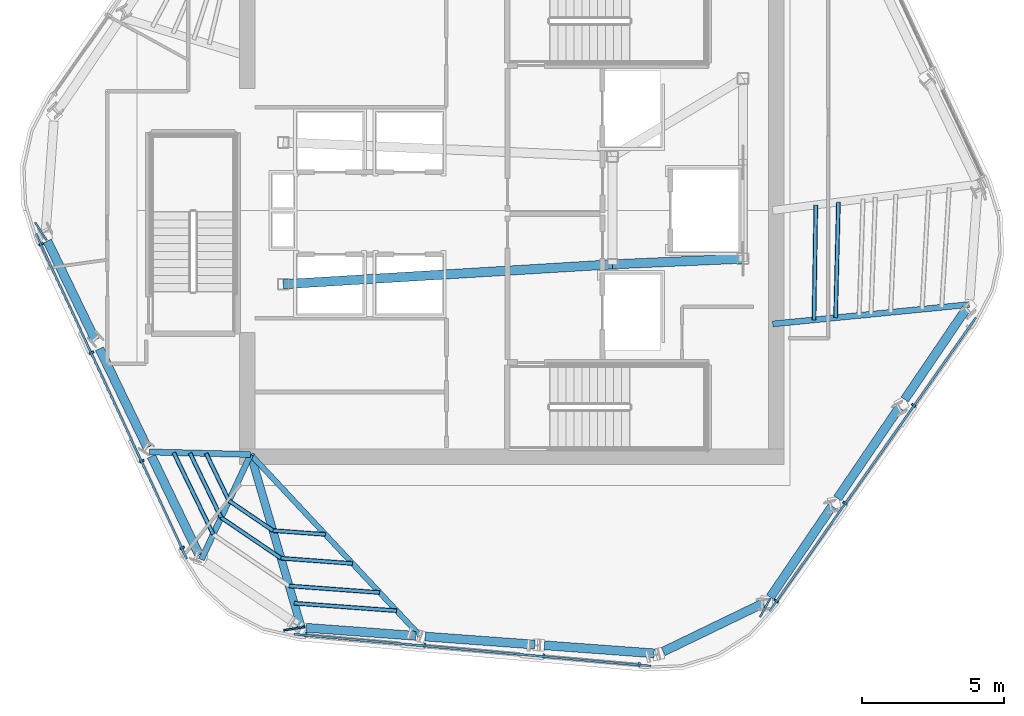
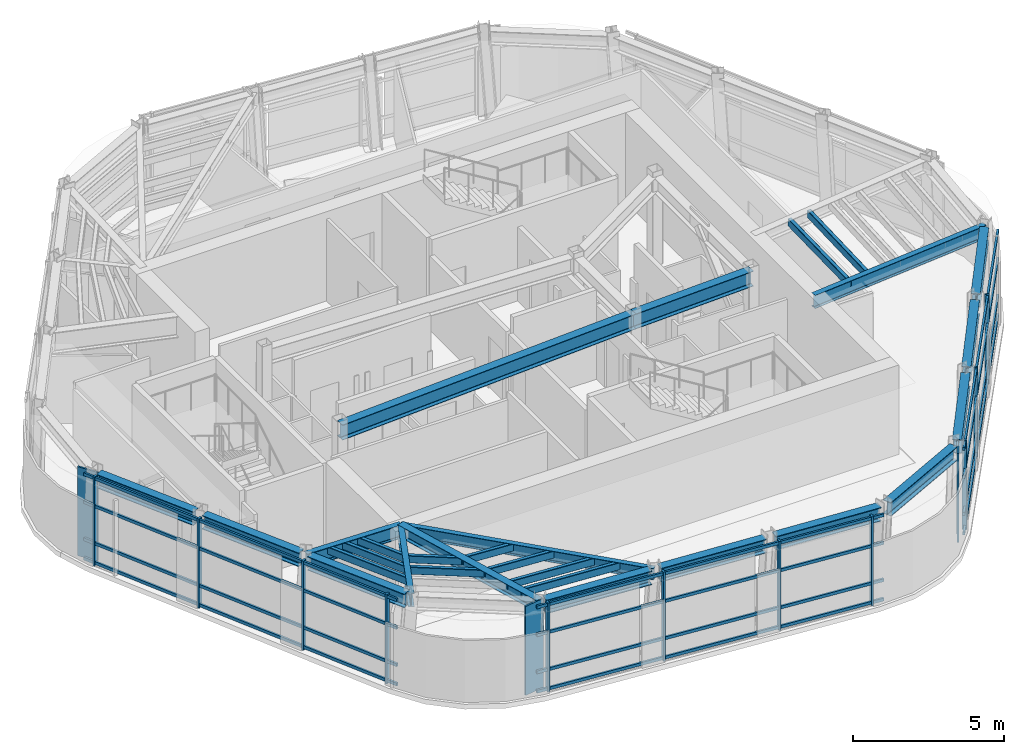
# One storey, part 2 of 12: 37 members, 17 beams, 3 elements without a shape of their own.
"""IFC4 building model written with IfcOpenShell, lengths in metres."""

from ifc_helpers import new_model, si_unit, direction, frame, origin, origin_2d, place, context, subcontext, project, spatial, rectangle, hollow_rectangle, i_section, extrude, material, layer, layer_set, material_profile, profile_set, type_object, element, aggregate, save


model = new_model("IFC4")

# Units and contexts
model_context = context("Model", 3, precision=1e-05, world=origin(), true_north=direction((0.0, 1.0)))
body_context = subcontext(model_context, "Body", "Model", "MODEL_VIEW")
ifc_project = project(units=[si_unit("LENGTHUNIT", "METRE"), si_unit("AREAUNIT", "SQUARE_METRE"), si_unit("VOLUMEUNIT", "CUBIC_METRE"), si_unit("PLANEANGLEUNIT", "RADIAN"), si_unit("MASSUNIT", "GRAM", prefix="KILO")], contexts=[model_context])

# Site, building, storey
site_placement = place(None, origin())
site = spatial("IfcSite", under=ifc_project, at=site_placement, CompositionType="ELEMENT")
building_placement = place(site_placement, origin())
building = spatial("IfcBuilding", under=site, at=building_placement, Name="Valkerne Bourse Tower", CompositionType="ELEMENT")
storey_placement = place(building_placement, frame((0.0, 0.0, 262.199951171875)))
storey = spatial("IfcBuildingStorey", under=building, at=storey_placement, Name="L66", CompositionType="ELEMENT", Elevation=262.199951171875)

# Beams
ifc_material_1 = material(Name="Steel ASTM A992", Category="steel")
ifc_material_profile_1 = material_profile(ifc_material_1, i_section(OverallWidth=0.1904296875, OverallDepth=0.457275390625, WebThickness=0.009033203125, FlangeThickness=0.014404296875, FilletRadius=0.01513671875, at=origin_2d()), Name="W18X50")
ifc_profile_set_1 = profile_set([ifc_material_profile_1], Name="Steel ASTM A992")
beam_type_1 = type_object("IfcBeamType", Name="BM-W18X50", PredefinedType="JOIST", material=ifc_profile_set_1)
beam_1_placement = place(storey_placement, frame((43.58642578125, 11.996337890625, 3.371337890625), z_axis=(-0.682907465045, 0.730504889913, 0.0), x_axis=(-0.730504889913, -0.682907465045, 0.0)))
element("IfcBeam", 1, at=beam_1_placement, inside=storey, type_object=beam_type_1, Name="L66 Radial Composite Floor Beam 13", PredefinedType="JOIST", context=body_context, shape_type="SweptSolid", body=[
    extrude(i_section(OverallWidth=0.1904296875, OverallDepth=0.457275390625, WebThickness=0.009033203125, FlangeThickness=0.014404296875, FilletRadius=0.01513671875, at=origin_2d()), origin(), (0.0, 0.0, 1.0), 8.765869140625),
])
ifc_material_profile_2 = material_profile(ifc_material_1, i_section(OverallWidth=0.279296875, OverallDepth=0.46240234375, WebThickness=0.0107421875, FlangeThickness=0.017333984375, FilletRadius=0.017822265625, at=origin_2d()), Name="W18X76")
ifc_profile_set_2 = profile_set([ifc_material_profile_2], Name="Steel ASTM A992")
beam_type_2 = type_object("IfcBeamType", Name="BM-W18X76", PredefinedType="BEAM", material=ifc_profile_set_2)
beam_2_placement = place(storey_placement, frame((39.3857421875, 12.3046875, 3.368896484375), z_axis=(-0.281142267956, 0.959666100875, 0.0), x_axis=(-0.959666100875, -0.281142267956, 0.0)))
element("IfcBeam", 2, at=beam_2_placement, inside=storey, type_object=beam_type_2, Name="L66 Radial Composite Floor Beam 12", PredefinedType="BEAM", context=body_context, shape_type="SweptSolid", body=[
    extrude(i_section(OverallWidth=0.279296875, OverallDepth=0.46240234375, WebThickness=0.0107421875, FlangeThickness=0.017333984375, FilletRadius=0.017822265625, at=origin_2d()), origin(), (0.0, 0.0, 1.0), 6.351318359375),
])
ifc_material_profile_3 = material_profile(ifc_material_1, i_section(OverallWidth=0.31494140625, OverallDepth=0.5537109375, WebThickness=0.0166015625, FlangeThickness=0.026123046875, FilletRadius=0.020263671875, at=origin_2d()), Name="W21X132")
ifc_profile_set_3 = profile_set([ifc_material_profile_3], Name="Steel ASTM A992")
beam_type_3 = type_object("IfcBeamType", Name="BM-W21X132", PredefinedType="BEAM", material=ifc_profile_set_3)
beam_3_placement = place(storey_placement, frame((30.4404296875, 25.920166015625, 3.3232421875), z_axis=(0.435244474126, -0.900312305671, 0.0), x_axis=(0.900312305671, 0.435244474126, 0.0)))
element("IfcBeam", 3, at=beam_3_placement, inside=storey, type_object=beam_type_3, Name="L66 Hexagonal Spandrel Ring Beam 08", PredefinedType="BEAM", context=body_context, shape_type="SweptSolid", body=[
    extrude(i_section(OverallWidth=0.31494140625, OverallDepth=0.5537109375, WebThickness=0.0166015625, FlangeThickness=0.026123046875, FilletRadius=0.020263671875, at=origin_2d()), origin(), (0.0, 0.0, 1.0), 3.8720703125),
])
beam_4_placement = place(storey_placement, frame((32.273681640625, 22.1279296875, 3.3232421875), z_axis=(0.435269182469, -0.90030036032, 0.0), x_axis=(0.90030036032, 0.435269182469, 0.0)))
element("IfcBeam", 4, at=beam_4_placement, inside=storey, type_object=beam_type_3, Name="L66 Hexagonal Spandrel Ring Beam 09", PredefinedType="BEAM", context=body_context, shape_type="SweptSolid", body=[
    extrude(i_section(OverallWidth=0.31494140625, OverallDepth=0.5537109375, WebThickness=0.0166015625, FlangeThickness=0.026123046875, FilletRadius=0.020263671875, at=origin_2d()), origin(), (0.0, 0.0, 1.0), 3.871826171875),
])
for number, where, z_axis, x_axis, name in (
    (5, (34.10693359375, 18.3359375, 3.3232421875), (0.43519336486, -0.900337012002, 0.0), (0.900337012002, 0.43519336486, 0.0), "L66 Hexagonal Spandrel Ring Beam 10"),
    (6, (39.555419921875, 12.292236328125, 3.3232421875), (0.997316907808, -0.073205091355, 0.0), (0.073205091355, 0.997316907808, 0.0), "L66 Hexagonal Spandrel Ring Beam 12"),
    (7, (43.756103515625, 11.98388671875, 3.3232421875), (0.997312302406, -0.073267806499, 0.0), (0.073267806499, 0.997312302406, 0.0), "L66 Hexagonal Spandrel Ring Beam 13"),
    (8, (47.956787109375, 11.67529296875, 3.3232421875), (0.997316907808, -0.073205091355, 0.0), (0.073205091355, 0.997316907808, 0.0), "L66 Hexagonal Spandrel Ring Beam 14"),
):
    element("IfcBeam", number, at=place(storey_placement, frame(where, z_axis=z_axis, x_axis=x_axis)), inside=storey, type_object=beam_type_3, Name=name, PredefinedType="BEAM", context=body_context, shape_type="SweptSolid", body=[
        extrude(i_section(OverallWidth=0.31494140625, OverallDepth=0.5537109375, WebThickness=0.0166015625, FlangeThickness=0.026123046875, FilletRadius=0.020263671875, at=origin_2d()), origin(), (0.0, 0.0, 1.0), 3.8720703125),
    ])
beam_5_placement = place(storey_placement, frame((52.14111328125, 11.453369140625, 3.3232421875), z_axis=(0.900320856129, 0.435226786881, 0.0), x_axis=(-0.435226786881, 0.900320856129, 0.0)))
element("IfcBeam", 9, at=beam_5_placement, inside=storey, type_object=beam_type_3, Name="L66 Hexagonal Spandrel Ring Beam 15", PredefinedType="BEAM", context=body_context, shape_type="SweptSolid", body=[
    extrude(i_section(OverallWidth=0.31494140625, OverallDepth=0.5537109375, WebThickness=0.0166015625, FlangeThickness=0.026123046875, FilletRadius=0.020263671875, at=origin_2d()), origin(), (0.0, 0.0, 1.0), 3.91552734375),
])
beam_6_placement = place(storey_placement, frame((55.914794921875, 13.3720703125, 3.3232421875), z_axis=(0.562084085432, 0.827080093404, 0.0), x_axis=(-0.827080093404, 0.562084085432, 0.0)))
element("IfcBeam", 10, at=beam_6_placement, inside=storey, type_object=beam_type_3, Name="L66 Hexagonal Spandrel Ring Beam 16", PredefinedType="BEAM", context=body_context, shape_type="SweptSolid", body=[
    extrude(i_section(OverallWidth=0.31494140625, OverallDepth=0.5537109375, WebThickness=0.0166015625, FlangeThickness=0.026123046875, FilletRadius=0.020263671875, at=origin_2d()), origin(), (0.0, 0.0, 1.0), 3.872314453125),
])
beam_7_placement = place(storey_placement, frame((58.282470703125, 16.855712890625, 3.3232421875), z_axis=(0.562040953574, 0.827109404194, 0.0), x_axis=(-0.827109404194, 0.562040953574, 0.0)))
element("IfcBeam", 11, at=beam_7_placement, inside=storey, type_object=beam_type_3, Name="L66 Hexagonal Spandrel Ring Beam 17", PredefinedType="BEAM", context=body_context, shape_type="SweptSolid", body=[
    extrude(i_section(OverallWidth=0.31494140625, OverallDepth=0.5537109375, WebThickness=0.0166015625, FlangeThickness=0.026123046875, FilletRadius=0.020263671875, at=origin_2d()), origin(), (0.0, 0.0, 1.0), 3.8720703125),
])
beam_8_placement = place(storey_placement, frame((60.64990234375, 20.339599609375, 3.3232421875), z_axis=(0.562070265454, 0.827089485299, 0.0), x_axis=(-0.827089485299, 0.562070265454, 0.0)))
element("IfcBeam", 12, at=beam_8_placement, inside=storey, type_object=beam_type_3, Name="L66 Hexagonal Spandrel Ring Beam 18", PredefinedType="BEAM", context=body_context, shape_type="SweptSolid", body=[
    extrude(i_section(OverallWidth=0.31494140625, OverallDepth=0.5537109375, WebThickness=0.0166015625, FlangeThickness=0.026123046875, FilletRadius=0.020263671875, at=origin_2d()), origin(), (0.0, 0.0, 1.0), 3.871826171875),
])
ifc_material_profile_4 = material_profile(ifc_material_1, i_section(OverallWidth=0.209228515625, OverallDepth=0.533447265625, WebThickness=0.01025390625, FlangeThickness=0.015625, FilletRadius=0.017822265625, at=origin_2d()), Name="W21X62")
ifc_profile_set_4 = profile_set([ifc_material_profile_4], Name="Steel ASTM A992")
beam_type_4 = type_object("IfcBeamType", Name="BM-W21X62", PredefinedType="JOIST", material=ifc_profile_set_4)
beam_9_placement = place(storey_placement, frame((35.8662109375, 14.69677734375, 3.333251953125), z_axis=(0.424042224579, 0.905642419377, 0.0), x_axis=(-0.905642419377, 0.424042224579, 0.0)))
element("IfcBeam", 13, at=beam_9_placement, inside=storey, type_object=beam_type_4, Name="L66 Radial Composite Floor Beam 11", PredefinedType="JOIST", context=body_context, shape_type="SweptSolid", body=[
    extrude(i_section(OverallWidth=0.209228515625, OverallDepth=0.533447265625, WebThickness=0.01025390625, FlangeThickness=0.015625, FilletRadius=0.017822265625, at=origin_2d()), origin(), (0.0, 0.0, 1.0), 4.0888671875),
])
beam_10_placement = place(storey_placement, frame((62.921875, 23.6826171875, 3.333251953125), z_axis=(-0.995172489692, -0.098141305064, 0.0), x_axis=(0.098141305064, -0.995172489692, 0.0)))
element("IfcBeam", 14, at=beam_10_placement, inside=storey, type_object=beam_type_4, Name="L66 Radial Composite Floor Beam 19", PredefinedType="JOIST", context=body_context, shape_type="SweptSolid", body=[
    extrude(i_section(OverallWidth=0.209228515625, OverallDepth=0.533447265625, WebThickness=0.01025390625, FlangeThickness=0.015625, FilletRadius=0.017822265625, at=origin_2d()), origin(), (0.0, 0.0, 1.0), 6.95556640625),
])
ifc_material_profile_5 = material_profile(ifc_material_1, i_section(OverallWidth=0.2138671875, OverallDepth=0.548583984375, WebThickness=0.0146484375, FlangeThickness=0.023681640625, FilletRadius=0.017822265625, at=origin_2d()), Name="W21X93")
ifc_profile_set_5 = profile_set([ifc_material_profile_5], Name="Steel ASTM A992")
beam_type_5 = type_object("IfcBeamType", Name="BM-W21X93", PredefinedType="BEAM", material=ifc_profile_set_5)
beam_11_placement = place(storey_placement, frame((34.032958984375, 18.489013671875, 3.32568359375), z_axis=(0.999688116327, -0.024973387342, 0.0), x_axis=(0.024973387342, 0.999688116327, 0.0)))
element("IfcBeam", 15, at=beam_11_placement, inside=storey, type_object=beam_type_5, Name="L66 Radial Composite Floor Beam 10", PredefinedType="BEAM", context=body_context, shape_type="SweptSolid", body=[
    extrude(i_section(OverallWidth=0.2138671875, OverallDepth=0.548583984375, WebThickness=0.0146484375, FlangeThickness=0.023681640625, FilletRadius=0.017822265625, at=origin_2d()), origin(), (0.0, 0.0, 1.0), 3.568359375),
])
ifc_material_profile_6 = material_profile(ifc_material_1, i_section(OverallWidth=0.3251953125, OverallDepth=0.612060546875, WebThickness=0.0126953125, FlangeThickness=0.01904296875, FilletRadius=0.020263671875, at=origin_2d()), Name="W24X104")
ifc_profile_set_6 = profile_set([ifc_material_profile_6], Name="Steel ASTM A992")
beam_type_6 = type_object("IfcBeamType", Name="BM-W24X104", PredefinedType="BEAM", material=ifc_profile_set_6)
beam_12_placement = place(storey_placement, frame((50.35009765625, 25.10009765625, 3.2939453125), z_axis=(0.999056558506, 0.043428019819, 0.0), x_axis=(-0.043428019819, 0.999056558506, 0.0)))
element("IfcBeam", 16, at=beam_12_placement, inside=storey, type_object=beam_type_6, Name="L66 Core Frame Girder CG-SE", PredefinedType="BEAM", context=body_context, shape_type="SweptSolid", body=[
    extrude(i_section(OverallWidth=0.3251953125, OverallDepth=0.612060546875, WebThickness=0.0126953125, FlangeThickness=0.01904296875, FilletRadius=0.020263671875, at=origin_2d()), origin(), (0.0, 0.0, 1.0), 4.604248046875),
])
beam_13_placement = place(storey_placement, frame((38.75, 24.39990234375, 3.2939453125), z_axis=(0.998183228389, 0.060251494276, 0.0), x_axis=(-0.060251494276, 0.998183228389, 0.0)))
element("IfcBeam", 17, at=beam_13_placement, inside=storey, type_object=beam_type_6, Name="L66 Core Frame Girder CG-SW", PredefinedType="BEAM", context=body_context, shape_type="SweptSolid", body=[
    extrude(i_section(OverallWidth=0.3251953125, OverallDepth=0.612060546875, WebThickness=0.0126953125, FlangeThickness=0.01904296875, FilletRadius=0.020263671875, at=origin_2d()), origin(), (0.0, 0.0, 1.0), 11.62109375),
])

# Curtain wall, members
ifc_material_2 = material(Name="Aluminium AA 6063-T6", Category="aluminium")
ifc_layer = layer(ifc_material_2, 0.2451171875)
ifc_layer_set = layer_set([ifc_layer], Name="Aluminium AA 6063-T6")
curtain_wall_type = type_object("IfcCurtainWallType", Name="CW-05", PredefinedType="NOTDEFINED", material=ifc_layer_set)
curtain_wall_1_placement = place(storey_placement, origin())
curtain_wall_1 = element("IfcCurtainWall", 18, at=curtain_wall_1_placement, inside=storey, type_object=curtain_wall_type, Name="L66 Hexagonal Stick Curtain Wall Face 3", PredefinedType="NOTDEFINED")
ifc_material_profile_7 = material_profile(ifc_material_2, rectangle(XDim=0.074951171875, YDim=0.159912109375, at=origin_2d()), Name="CWM-75X160")
ifc_profile_set_7 = profile_set([ifc_material_profile_7], Name="Aluminium AA 6063-T6")
member_type_1 = type_object("IfcMemberType", Name="CW-MUL-160X75", PredefinedType="MULLION", material=ifc_profile_set_7)
member_1_placement = place(storey_placement, frame((30.222412109375, 25.807373046875, 0.0), z_axis=(0.0, 0.0, 1.0), x_axis=(0.421032481957, -0.907045560673, 0.0)))
member_1 = element("IfcMember", 19, at=member_1_placement, type_object=member_type_1, Name="CW-L66-F3 Jamb Mullion 00A", PredefinedType="MULLION", context=body_context, shape_type="SweptSolid", body=[
    extrude(rectangle(XDim=0.074951171875, YDim=0.159912109375, at=origin_2d()), origin(), (0.0, 0.0, 1.0), 3.60009765625),
])
member_2_placement = place(storey_placement, frame((31.995849609375, 21.98681640625, 0.0), z_axis=(0.0, 0.0, 1.0), x_axis=(0.421032481957, -0.907045560673, 0.0)))
member_2 = element("IfcMember", 20, at=member_2_placement, type_object=member_type_1, Name="CW-L66-F3 Jamb Mullion 01A", PredefinedType="MULLION", context=body_context, shape_type="SweptSolid", body=[
    extrude(rectangle(XDim=0.074951171875, YDim=0.159912109375, at=origin_2d()), origin(), (0.0, 0.0, 1.0), 3.60009765625),
])
member_3_placement = place(storey_placement, frame((33.769287109375, 18.16650390625, 0.0), z_axis=(0.0, 0.0, 1.0), x_axis=(0.421041548912, -0.907041351918, 0.0)))
member_3 = element("IfcMember", 21, at=member_3_placement, type_object=member_type_1, Name="CW-L66-F3 Jamb Mullion 02A", PredefinedType="MULLION", context=body_context, shape_type="SweptSolid", body=[
    extrude(rectangle(XDim=0.074951171875, YDim=0.159912109375, at=origin_2d()), origin(), (0.0, 0.0, 1.0), 3.60009765625),
])
member_4_placement = place(storey_placement, frame((35.18896484375, 15.10791015625, 0.0), z_axis=(0.0, 0.0, 1.0), x_axis=(0.421041548912, -0.907041351918, 0.0)))
member_4 = element("IfcMember", 22, at=member_4_placement, type_object=member_type_1, Name="CW-L66-F3 Jamb Mullion 02B", PredefinedType="MULLION", context=body_context, shape_type="SweptSolid", body=[
    extrude(rectangle(XDim=0.074951171875, YDim=0.159912109375, at=origin_2d()), origin(), (0.0, 0.0, 1.0), 3.60009765625),
])

curtain_wall_2_placement = place(storey_placement, origin())
curtain_wall_2 = element("IfcCurtainWall", 23, at=curtain_wall_2_placement, inside=storey, type_object=curtain_wall_type, Name="L66 Hexagonal Stick Curtain Wall Face 4", PredefinedType="NOTDEFINED")
member_5_placement = place(storey_placement, frame((39.5439453125, 12.047119140625, 0.0), z_axis=(0.0, 0.0, 1.0), x_axis=(0.99603958276, -0.088910908079, 0.0)))
member_5 = element("IfcMember", 24, at=member_5_placement, type_object=member_type_1, Name="CW-L66-F4 Jamb Mullion 00A", PredefinedType="MULLION", context=body_context, shape_type="SweptSolid", body=[
    extrude(rectangle(XDim=0.074951171875, YDim=0.159912109375, at=origin_2d()), origin(), (0.0, 0.0, 1.0), 3.60009765625),
])
member_6_placement = place(storey_placement, frame((43.739501953125, 11.672607421875, 0.0), z_axis=(0.0, 0.0, 1.0), x_axis=(0.996041497395, -0.088889456445, 0.0)))
member_6 = element("IfcMember", 25, at=member_6_placement, type_object=member_type_1, Name="CW-L66-F4 Jamb Mullion 01A", PredefinedType="MULLION", context=body_context, shape_type="SweptSolid", body=[
    extrude(rectangle(XDim=0.074951171875, YDim=0.159912109375, at=origin_2d()), origin(), (0.0, 0.0, 1.0), 3.60009765625),
])
member_7_placement = place(storey_placement, frame((47.934814453125, 11.298095703125, 0.0), z_axis=(0.0, 0.0, 1.0), x_axis=(0.996041497395, -0.088889456445, 0.0)))
member_7 = element("IfcMember", 26, at=member_7_placement, type_object=member_type_1, Name="CW-L66-F4 Jamb Mullion 02A", PredefinedType="MULLION", context=body_context, shape_type="SweptSolid", body=[
    extrude(rectangle(XDim=0.074951171875, YDim=0.159912109375, at=origin_2d()), origin(), (0.0, 0.0, 1.0), 3.60009765625),
])
member_8_placement = place(storey_placement, frame((51.293212890625, 10.99853515625, 0.0), z_axis=(0.0, 0.0, 1.0), x_axis=(0.996041497395, -0.088889456445, 0.0)))
member_8 = element("IfcMember", 27, at=member_8_placement, type_object=member_type_1, Name="CW-L66-F4 Jamb Mullion 02B", PredefinedType="MULLION", context=body_context, shape_type="SweptSolid", body=[
    extrude(rectangle(XDim=0.074951171875, YDim=0.159912109375, at=origin_2d()), origin(), (0.0, 0.0, 1.0), 3.60009765625),
])

curtain_wall_3_placement = place(storey_placement, origin())
curtain_wall_3 = element("IfcCurtainWall", 28, at=curtain_wall_3_placement, inside=storey, type_object=curtain_wall_type, Name="L66 Hexagonal Stick Curtain Wall Face 5", PredefinedType="NOTDEFINED")
member_9_placement = place(storey_placement, frame((56.12158203125, 13.23974609375, 0.0), z_axis=(0.0, 0.0, 1.0), x_axis=(0.575006942381, 0.818148529433, 0.0)))
member_9 = element("IfcMember", 29, at=member_9_placement, type_object=member_type_1, Name="CW-L66-F5 Jamb Mullion 00A", PredefinedType="MULLION", context=body_context, shape_type="SweptSolid", body=[
    extrude(rectangle(XDim=0.074951171875, YDim=0.159912109375, at=origin_2d()), origin(), (0.0, 0.0, 1.0), 3.60009765625),
])
member_10_placement = place(storey_placement, frame((58.543701171875, 16.685791015625, 0.0), z_axis=(0.0, 0.0, 1.0), x_axis=(0.574995773335, 0.818156379091, 0.0)))
member_10 = element("IfcMember", 30, at=member_10_placement, type_object=member_type_1, Name="CW-L66-F5 Jamb Mullion 01A", PredefinedType="MULLION", context=body_context, shape_type="SweptSolid", body=[
    extrude(rectangle(XDim=0.074951171875, YDim=0.159912109375, at=origin_2d()), origin(), (0.0, 0.0, 1.0), 3.60009765625),
])
member_11_placement = place(storey_placement, frame((60.965576171875, 20.1318359375, 0.0), z_axis=(0.0, 0.0, 1.0), x_axis=(0.575006942381, 0.818148529433, 0.0)))
member_11 = element("IfcMember", 31, at=member_11_placement, type_object=member_type_1, Name="CW-L66-F5 Jamb Mullion 02A", PredefinedType="MULLION", context=body_context, shape_type="SweptSolid", body=[
    extrude(rectangle(XDim=0.074951171875, YDim=0.159912109375, at=origin_2d()), origin(), (0.0, 0.0, 1.0), 3.60009765625),
])

# Member
ifc_material_profile_8 = material_profile(ifc_material_2, rectangle(XDim=0.074951171875, YDim=0.1201171875, at=origin_2d()), Name="CWT-75X120")
ifc_profile_set_8 = profile_set([ifc_material_profile_8], Name="Aluminium AA 6063-T6")
member_type_2 = type_object("IfcMemberType", Name="CW-TRN-120X75", PredefinedType="USERDEFINED", material=ifc_profile_set_8)
member_12_placement = place(storey_placement, frame((30.027587890625, 26.179931640625, 0.1201171875), z_axis=(0.421026153883, -0.907048498012, 0.0), x_axis=(0.907048498012, 0.421026153883, 0.0)))
member_12 = element("IfcMember", 32, at=member_12_placement, type_object=member_type_2, Name="CW-L66-F3 Continuous Face Transom 1", ObjectType="TRANSOM", PredefinedType="USERDEFINED", context=body_context, shape_type="SweptSolid", body=[
    extrude(rectangle(XDim=0.074951171875, YDim=0.1201171875, at=origin_2d()), origin(), (0.0, 0.0, 1.0), 12.635986328125),
])

member_13_placement = place(storey_placement, frame((30.027587890625, 26.179931640625, 0.900146484375), z_axis=(0.421026153883, -0.907048498012, 0.0), x_axis=(0.907048498012, 0.421026153883, 0.0)))
member_13 = element("IfcMember", 33, at=member_13_placement, type_object=member_type_2, Name="CW-L66-F3 Continuous Face Transom 2", ObjectType="TRANSOM", PredefinedType="USERDEFINED", context=body_context, shape_type="SweptSolid", body=[
    extrude(rectangle(XDim=0.074951171875, YDim=0.1201171875, at=origin_2d()), origin(), (0.0, 0.0, 1.0), 12.635986328125),
])

member_14_placement = place(storey_placement, frame((30.027587890625, 26.179931640625, 2.400146484375), z_axis=(0.421026153883, -0.907048498012, 0.0), x_axis=(0.907048498012, 0.421026153883, 0.0)))
member_14 = element("IfcMember", 34, at=member_14_placement, type_object=member_type_2, Name="CW-L66-F3 Continuous Face Transom 3", ObjectType="TRANSOM", PredefinedType="USERDEFINED", context=body_context, shape_type="SweptSolid", body=[
    extrude(rectangle(XDim=0.074951171875, YDim=0.1201171875, at=origin_2d()), origin(), (0.0, 0.0, 1.0), 12.635986328125),
])

member_15_placement = place(storey_placement, frame((30.027587890625, 26.179931640625, 3.52001953125), z_axis=(0.421026153883, -0.907048498012, 0.0), x_axis=(0.907048498012, 0.421026153883, 0.0)))
member_15 = element("IfcMember", 35, at=member_15_placement, type_object=member_type_2, Name="CW-L66-F3 Continuous Face Transom 4", ObjectType="TRANSOM", PredefinedType="USERDEFINED", context=body_context, shape_type="SweptSolid", body=[
    extrude(rectangle(XDim=0.074951171875, YDim=0.1201171875, at=origin_2d()), origin(), (0.0, 0.0, 1.0), 12.635986328125),
])

aggregate(curtain_wall_1, [member_12, member_13, member_14, member_15, member_1, member_2, member_3, member_4])

member_16_placement = place(storey_placement, frame((39.123779296875, 12.064453125, 0.1201171875), z_axis=(0.996041035774, -0.088894628937, 0.0), x_axis=(0.088894628937, 0.996041035774, 0.0)))
member_16 = element("IfcMember", 36, at=member_16_placement, type_object=member_type_2, Name="CW-L66-F4 Continuous Face Transom 1", ObjectType="TRANSOM", PredefinedType="USERDEFINED", context=body_context, shape_type="SweptSolid", body=[
    extrude(rectangle(XDim=0.074951171875, YDim=0.1201171875, at=origin_2d()), origin(), (0.0, 0.0, 1.0), 12.63623046875),
])

member_17_placement = place(storey_placement, frame((39.123779296875, 12.064453125, 0.900146484375), z_axis=(0.996041035774, -0.088894628937, 0.0), x_axis=(0.088894628937, 0.996041035774, 0.0)))
member_17 = element("IfcMember", 37, at=member_17_placement, type_object=member_type_2, Name="CW-L66-F4 Continuous Face Transom 2", ObjectType="TRANSOM", PredefinedType="USERDEFINED", context=body_context, shape_type="SweptSolid", body=[
    extrude(rectangle(XDim=0.074951171875, YDim=0.1201171875, at=origin_2d()), origin(), (0.0, 0.0, 1.0), 12.63623046875),
])

member_18_placement = place(storey_placement, frame((39.123779296875, 12.064453125, 2.400146484375), z_axis=(0.996041035774, -0.088894628937, 0.0), x_axis=(0.088894628937, 0.996041035774, 0.0)))
member_18 = element("IfcMember", 38, at=member_18_placement, type_object=member_type_2, Name="CW-L66-F4 Continuous Face Transom 3", ObjectType="TRANSOM", PredefinedType="USERDEFINED", context=body_context, shape_type="SweptSolid", body=[
    extrude(rectangle(XDim=0.074951171875, YDim=0.1201171875, at=origin_2d()), origin(), (0.0, 0.0, 1.0), 12.63623046875),
])

member_19_placement = place(storey_placement, frame((39.123779296875, 12.064453125, 3.52001953125), z_axis=(0.996041035774, -0.088894628937, 0.0), x_axis=(0.088894628937, 0.996041035774, 0.0)))
member_19 = element("IfcMember", 39, at=member_19_placement, type_object=member_type_2, Name="CW-L66-F4 Continuous Face Transom 4", ObjectType="TRANSOM", PredefinedType="USERDEFINED", context=body_context, shape_type="SweptSolid", body=[
    extrude(rectangle(XDim=0.074951171875, YDim=0.1201171875, at=origin_2d()), origin(), (0.0, 0.0, 1.0), 12.63623046875),
])

aggregate(curtain_wall_2, [member_16, member_17, member_18, member_19, member_5, member_6, member_7, member_8])

member_20_placement = place(storey_placement, frame((55.896484375, 12.884521484375, 0.1201171875), z_axis=(0.574997951953, 0.818154847966, 0.0), x_axis=(-0.818154847966, 0.574997951953, 0.0)))
member_20 = element("IfcMember", 40, at=member_20_placement, type_object=member_type_2, Name="CW-L66-F5 Continuous Face Transom 1", ObjectType="TRANSOM", PredefinedType="USERDEFINED", context=body_context, shape_type="SweptSolid", body=[
    extrude(rectangle(XDim=0.074951171875, YDim=0.1201171875, at=origin_2d()), origin(), (0.0, 0.0, 1.0), 12.635986328125),
])

member_21_placement = place(storey_placement, frame((55.896484375, 12.884521484375, 0.900146484375), z_axis=(0.574997951953, 0.818154847966, 0.0), x_axis=(-0.818154847966, 0.574997951953, 0.0)))
member_21 = element("IfcMember", 41, at=member_21_placement, type_object=member_type_2, Name="CW-L66-F5 Continuous Face Transom 2", ObjectType="TRANSOM", PredefinedType="USERDEFINED", context=body_context, shape_type="SweptSolid", body=[
    extrude(rectangle(XDim=0.074951171875, YDim=0.1201171875, at=origin_2d()), origin(), (0.0, 0.0, 1.0), 12.635986328125),
])

member_22_placement = place(storey_placement, frame((55.896484375, 12.884521484375, 2.400146484375), z_axis=(0.574997951953, 0.818154847966, 0.0), x_axis=(-0.818154847966, 0.574997951953, 0.0)))
member_22 = element("IfcMember", 42, at=member_22_placement, type_object=member_type_2, Name="CW-L66-F5 Continuous Face Transom 3", ObjectType="TRANSOM", PredefinedType="USERDEFINED", context=body_context, shape_type="SweptSolid", body=[
    extrude(rectangle(XDim=0.074951171875, YDim=0.1201171875, at=origin_2d()), origin(), (0.0, 0.0, 1.0), 12.635986328125),
])

member_23_placement = place(storey_placement, frame((55.896484375, 12.884521484375, 3.52001953125), z_axis=(0.574997951953, 0.818154847966, 0.0), x_axis=(-0.818154847966, 0.574997951953, 0.0)))
member_23 = element("IfcMember", 43, at=member_23_placement, type_object=member_type_2, Name="CW-L66-F5 Continuous Face Transom 4", ObjectType="TRANSOM", PredefinedType="USERDEFINED", context=body_context, shape_type="SweptSolid", body=[
    extrude(rectangle(XDim=0.074951171875, YDim=0.1201171875, at=origin_2d()), origin(), (0.0, 0.0, 1.0), 12.635986328125),
])

aggregate(curtain_wall_3, [member_20, member_21, member_22, member_23, member_9, member_10, member_11])

# Members
ifc_material_3 = material(Name="Bronze Anodised Aluminium AA 6063-T6", Category="aluminium")
ifc_material_profile_9 = material_profile(ifc_material_3, rectangle(XDim=0.06494140625, YDim=0.75, at=origin_2d()), Name="FIN-65X750")
ifc_profile_set_9 = profile_set([ifc_material_profile_9], Name="Bronze Anodised Aluminium AA 6063-T6")
member_type_3 = type_object("IfcMemberType", Name="FIN-SOLAR-650", PredefinedType="USERDEFINED", material=ifc_profile_set_9)
for number, where, z_axis, x_axis, name in (
    (44, (30.208984375, 26.26416015625, 0.004150390625), (0.0, 0.0, 1.0), (-0.841433659371, -0.540360432376, 0.0), "L66 Bronze Anodised Solar Fin F3-00"),
    (45, (39.1416015625, 12.263671875, 0.004150390625), (0.0, 0.0, 1.0), (0.154135132782, -0.9880497765, 0.0), "L66 Bronze Anodised Solar Fin F4-00"),
    (46, (55.73291015625, 12.99951171875, 0.004150390625), (0.0, 0.0, 1.0), (0.875118946033, -0.483907873768, 0.0), "L66 Bronze Anodised Solar Fin F5-00"),
):
    element("IfcMember", number, at=place(storey_placement, frame(where, z_axis=z_axis, x_axis=x_axis)), inside=storey, type_object=member_type_3, Name=name, ObjectType="SOLAR_FIN", PredefinedType="USERDEFINED", context=body_context, shape_type="SweptSolid", body=[
        extrude(rectangle(XDim=0.06494140625, YDim=0.75, at=origin_2d()), origin(), (0.0, 0.0, 1.0), 3.591796875),
    ])
ifc_material_4 = material(Name="Steel ASTM A500 Grade C", Category="steel")
ifc_material_profile_10 = material_profile(ifc_material_4, hollow_rectangle(XDim=0.14990234375, YDim=0.300048828125, WallThickness=0.012451171875, OuterFilletRadius=0.02490234375, at=origin_2d()), Name="HSS300X150X12.5")
ifc_profile_set_10 = profile_set([ifc_material_profile_10], Name="Steel ASTM A500 Grade C")
member_type_4 = type_object("IfcMemberType", Name="MBR-HSS300X150X12.5", PredefinedType="PURLIN", material=ifc_profile_set_10)
member_24_placement = place(storey_placement, frame((58.215087890625, 23.218505859375, 3.43994140625), z_axis=(0.024418004617, 0.999701836074, 0.0), x_axis=(-0.999701836074, 0.024418004617, 0.0)))
element("IfcMember", 47, at=member_24_placement, inside=storey, type_object=member_type_4, Name="L66 Secondary Composite Floor Purlin I-19", PredefinedType="PURLIN", context=body_context, shape_type="SweptSolid", body=[
    extrude(hollow_rectangle(XDim=0.14990234375, YDim=0.300048828125, WallThickness=0.012451171875, OuterFilletRadius=0.02490234375, at=origin_2d()), origin(), (0.0, 0.0, 1.0), 4.079345703125),
])
member_25_placement = place(storey_placement, frame((36.030517578125, 18.439208984375, 3.43994140625), z_axis=(0.435213151039, -0.900327447745, 0.0), x_axis=(0.900327447745, 0.435213151039, 0.0)))
element("IfcMember", 48, at=member_25_placement, inside=storey, type_object=member_type_4, Name="L66 Secondary Composite Floor Purlin K-10", PredefinedType="PURLIN", context=body_context, shape_type="SweptSolid", body=[
    extrude(hollow_rectangle(XDim=0.14990234375, YDim=0.300048828125, WallThickness=0.012451171875, OuterFilletRadius=0.02490234375, at=origin_2d()), origin(), (0.0, 0.0, 1.0), 1.853515625),
])
member_26_placement = place(storey_placement, frame((36.837158203125, 16.7705078125, 3.43994140625), z_axis=(0.827062288736, -0.562110283264, 0.0), x_axis=(0.562110283264, 0.827062288736, 0.0)))
element("IfcMember", 49, at=member_26_placement, inside=storey, type_object=member_type_4, Name="L66 Secondary Composite Floor Purlin K-11", PredefinedType="PURLIN", context=body_context, shape_type="SweptSolid", body=[
    extrude(hollow_rectangle(XDim=0.14990234375, YDim=0.300048828125, WallThickness=0.012451171875, OuterFilletRadius=0.02490234375, at=origin_2d()), origin(), (0.0, 0.0, 1.0), 1.872314453125),
])
member_27_placement = place(storey_placement, frame((38.3857421875, 15.718017578125, 3.43994140625), z_axis=(0.997323893308, -0.073109861417, 0.0), x_axis=(0.073109861417, 0.997323893308, 0.0)))
element("IfcMember", 50, at=member_27_placement, inside=storey, type_object=member_type_4, Name="L66 Secondary Composite Floor Purlin K-12", PredefinedType="PURLIN", context=body_context, shape_type="SweptSolid", body=[
    extrude(hollow_rectangle(XDim=0.14990234375, YDim=0.300048828125, WallThickness=0.012451171875, OuterFilletRadius=0.02490234375, at=origin_2d()), origin(), (0.0, 0.0, 1.0), 1.853271484375),
])
for number, where, z_axis, x_axis, name in (
    (51, (34.888916015625, 18.467529296875, 3.43994140625), (0.435275824314, -0.90029714915, 0.0), (0.90029714915, 0.435275824314, 0.0), "L66 Secondary Composite Floor Purlin O-10"),
    (52, (38.957275390625, 13.767578125, 3.43994140625), (0.997315821967, -0.073219882922, 0.0), (0.073219882922, 0.997315821967, 0.0), "L66 Secondary Composite Floor Purlin O-12"),
):
    element("IfcMember", number, at=place(storey_placement, frame(where, z_axis=z_axis, x_axis=x_axis)), inside=storey, type_object=member_type_4, Name=name, PredefinedType="PURLIN", context=body_context, shape_type="SweptSolid", body=[
        extrude(hollow_rectangle(XDim=0.14990234375, YDim=0.300048828125, WallThickness=0.012451171875, OuterFilletRadius=0.02490234375, at=origin_2d()), origin(), (0.0, 0.0, 1.0), 3.200927734375),
    ])
member_28_placement = place(storey_placement, frame((35.459716796875, 18.453369140625, 3.43994140625), z_axis=(0.435273064964, -0.900298483236, 0.0), x_axis=(0.900298483236, 0.435273064964, 0.0)))
element("IfcMember", 53, at=member_28_placement, inside=storey, type_object=member_type_4, Name="L66 Secondary Composite Floor Purlin Z-10", PredefinedType="PURLIN", context=body_context, shape_type="SweptSolid", body=[
    extrude(hollow_rectangle(XDim=0.14990234375, YDim=0.300048828125, WallThickness=0.012451171875, OuterFilletRadius=0.02490234375, at=origin_2d()), origin(), (0.0, 0.0, 1.0), 2.52734375),
])
member_29_placement = place(storey_placement, frame((36.559814453125, 16.177978515625, 3.43994140625), z_axis=(0.827074098379, -0.562092906726, 0.0), x_axis=(0.562092906726, 0.827074098379, 0.0)))
element("IfcMember", 54, at=member_29_placement, inside=storey, type_object=member_type_4, Name="L66 Secondary Composite Floor Purlin Z-11", PredefinedType="PURLIN", context=body_context, shape_type="SweptSolid", body=[
    extrude(hollow_rectangle(XDim=0.14990234375, YDim=0.300048828125, WallThickness=0.012451171875, OuterFilletRadius=0.02490234375, at=origin_2d()), origin(), (0.0, 0.0, 1.0), 2.552978515625),
])
member_30_placement = place(storey_placement, frame((38.67138671875, 14.742919921875, 3.43994140625), z_axis=(0.997315515536, -0.073224056642, 0.0), x_axis=(0.073224056642, 0.997315515536, 0.0)))
element("IfcMember", 55, at=member_30_placement, inside=storey, type_object=member_type_4, Name="L66 Secondary Composite Floor Purlin Z-12", PredefinedType="PURLIN", context=body_context, shape_type="SweptSolid", body=[
    extrude(hollow_rectangle(XDim=0.14990234375, YDim=0.300048828125, WallThickness=0.012451171875, OuterFilletRadius=0.02490234375, at=origin_2d()), origin(), (0.0, 0.0, 1.0), 2.52734375),
])
member_31_placement = place(storey_placement, frame((57.45361328125, 23.143310546875, 3.43994140625), z_axis=(0.016148309921, 0.999869607542, 0.0), x_axis=(-0.999869607542, 0.016148309921, 0.0)))
element("IfcMember", 56, at=member_31_placement, inside=storey, type_object=member_type_4, Name="L66 Secondary Composite Floor Purlin S-19", PredefinedType="PURLIN", context=body_context, shape_type="SweptSolid", body=[
    extrude(hollow_rectangle(XDim=0.14990234375, YDim=0.300048828125, WallThickness=0.012451171875, OuterFilletRadius=0.02490234375, at=origin_2d()), origin(), (0.0, 0.0, 1.0), 4.0517578125),
])
member_32_placement = place(storey_placement, frame((39.1357421875, 13.158203125, 3.43994140625), z_axis=(0.997312624665, -0.073263419816, 0.0), x_axis=(0.073263419816, 0.997312624665, 0.0)))
element("IfcMember", 57, at=member_32_placement, inside=storey, type_object=member_type_4, Name="L66 Secondary Composite Floor Purlin T-12", PredefinedType="PURLIN", context=body_context, shape_type="SweptSolid", body=[
    extrude(hollow_rectangle(XDim=0.14990234375, YDim=0.300048828125, WallThickness=0.012451171875, OuterFilletRadius=0.02490234375, at=origin_2d()), origin(), (0.0, 0.0, 1.0), 3.622314453125),
])

save(model, "model.ifc")
